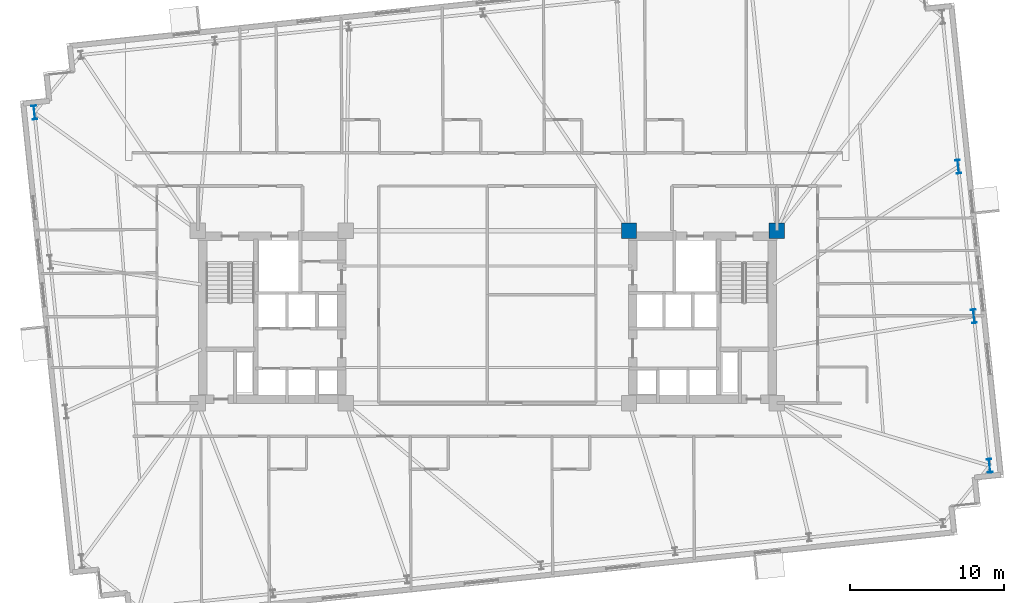
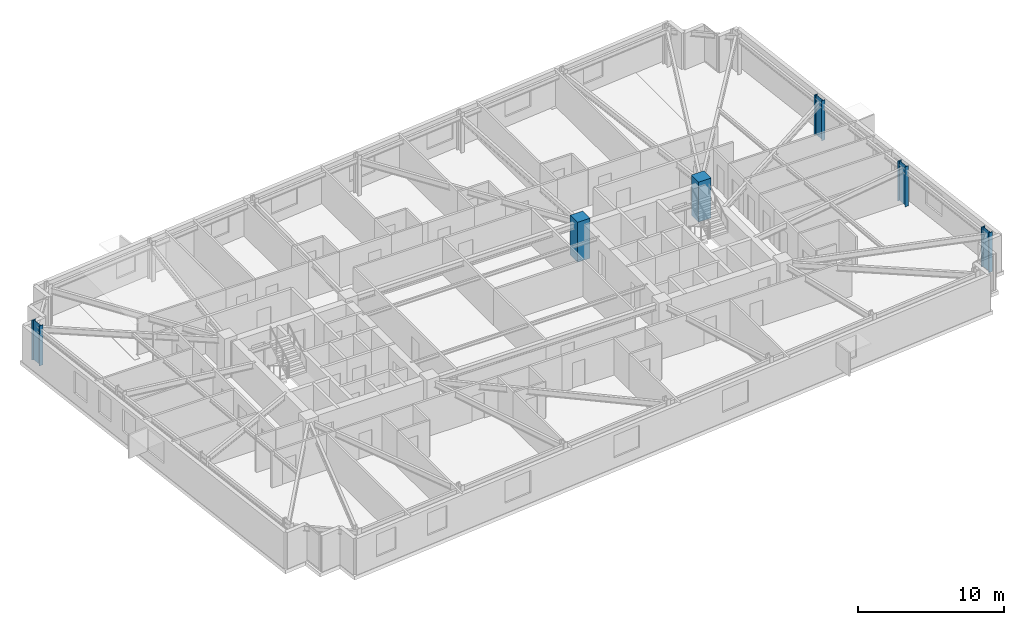
# One storey, part 2 of 19: 6 columns.
"""IFC4 building model written with IfcOpenShell, lengths in metres."""

from ifc_helpers import new_model, si_unit, direction, frame, origin, origin_2d, place, context, subcontext, project, spatial, rectangle, i_section, extrude, material, material_profile, profile_set, type_object, element, save


model = new_model("IFC4")

# Units and contexts
model_context = context("Model", 3, precision=1e-05, world=origin(), true_north=direction((0.0, 1.0)))
body_context = subcontext(model_context, "Body", "Model", "MODEL_VIEW")
ifc_project = project(units=[si_unit("LENGTHUNIT", "METRE"), si_unit("AREAUNIT", "SQUARE_METRE"), si_unit("VOLUMEUNIT", "CUBIC_METRE"), si_unit("PLANEANGLEUNIT", "RADIAN"), si_unit("MASSUNIT", "GRAM", prefix="KILO")], contexts=[model_context])

# Site, building, storey
site_placement = place(None, origin())
site = spatial("IfcSite", under=ifc_project, at=site_placement, CompositionType="ELEMENT")
building_placement = place(site_placement, origin())
building = spatial("IfcBuilding", under=site, at=building_placement, Name="Qobustan Lattice House", CompositionType="ELEMENT")
storey_placement = place(building_placement, frame((0.0, 0.0, 82.35009765625)))
storey = spatial("IfcBuildingStorey", under=building, at=storey_placement, Name="L22", CompositionType="ELEMENT", Elevation=82.35009765625)

# Columns
ifc_material_1 = material(Name="Concrete C60/75", Category="concrete")
ifc_material_profile_1 = material_profile(ifc_material_1, rectangle(XDim=1.0, YDim=1.0, at=origin_2d()), Name="RC1000x1000")
ifc_profile_set_1 = profile_set([ifc_material_profile_1], Name="Concrete C60/75")
column_type_1 = type_object("IfcColumnType", Name="COL-RC-1000", PredefinedType="COLUMN", material=ifc_profile_set_1)
for number, where, z_axis, x_axis, name in (
    (1, (9.199951171875, 5.60009765625, 0.0), (0.0, 0.0, 1.0), (1.0, 0.0, 0.0), "L22 core mega-column CE-NW"),
    (2, (18.800048828125, 5.60009765625, 0.0), (0.0, 0.0, 1.0), (1.0, 0.0, 0.0), "L22 core mega-column CE-NE"),
):
    element("IfcColumn", number, at=place(storey_placement, frame(where, z_axis=z_axis, x_axis=x_axis)), inside=storey, type_object=column_type_1, Name=name, PredefinedType="COLUMN", context=body_context, shape_type="SweptSolid", body=[
        extrude(rectangle(XDim=1.0, YDim=1.0, at=origin_2d()), origin(), (0.0, 0.0, 1.0), 3.349853515625),
    ])
ifc_material_2 = material(Name="Steel S355", Category="steel")
ifc_material_profile_2 = material_profile(ifc_material_2, i_section(OverallWidth=0.300048828125, OverallDepth=0.89990234375, WebThickness=0.0185546875, FlangeThickness=0.034912109375, FilletRadius=0.030029296875, at=origin_2d()), Name="HEB900")
ifc_profile_set_2 = profile_set([ifc_material_profile_2], Name="Steel S355")
column_type_2 = type_object("IfcColumnType", Name="COL-ST-HEB900", PredefinedType="COLUMN", material=ifc_profile_set_2)
for number, where, z_axis, x_axis, name in (
    (3, (32.618896484375, -9.67041015625, 0.0), (0.0, 0.0, 1.0), (0.994521895368, 0.104528463268, 0.0), "L22 B2 perimeter column E1"),
    (4, (31.597900390625, 0.042724609375, 0.0), (0.0, 0.0, 1.0), (0.994521895368, 0.104528463268, 0.0), "L22 B2 perimeter column E2"),
    (5, (30.5771484375, 9.755859375, 0.0), (0.0, 0.0, 1.0), (0.994521895368, 0.104528463268, 0.0), "L22 B2 perimeter column E3"),
    (6, (-29.4189453125, 13.2705078125, 0.0), (0.0, 0.0, 1.0), (0.994521895368, 0.104528463268, 0.0), "L22 B2 perimeter column W1"),
):
    element("IfcColumn", number, at=place(storey_placement, frame(where, z_axis=z_axis, x_axis=x_axis)), inside=storey, type_object=column_type_2, Name=name, PredefinedType="COLUMN", context=body_context, shape_type="SweptSolid", body=[
        extrude(i_section(OverallWidth=0.300048828125, OverallDepth=0.89990234375, WebThickness=0.0185546875, FlangeThickness=0.034912109375, FilletRadius=0.030029296875, at=origin_2d()), origin(), (0.0, 0.0, 1.0), 3.349853515625),
    ])

save(model, "model.ifc")
